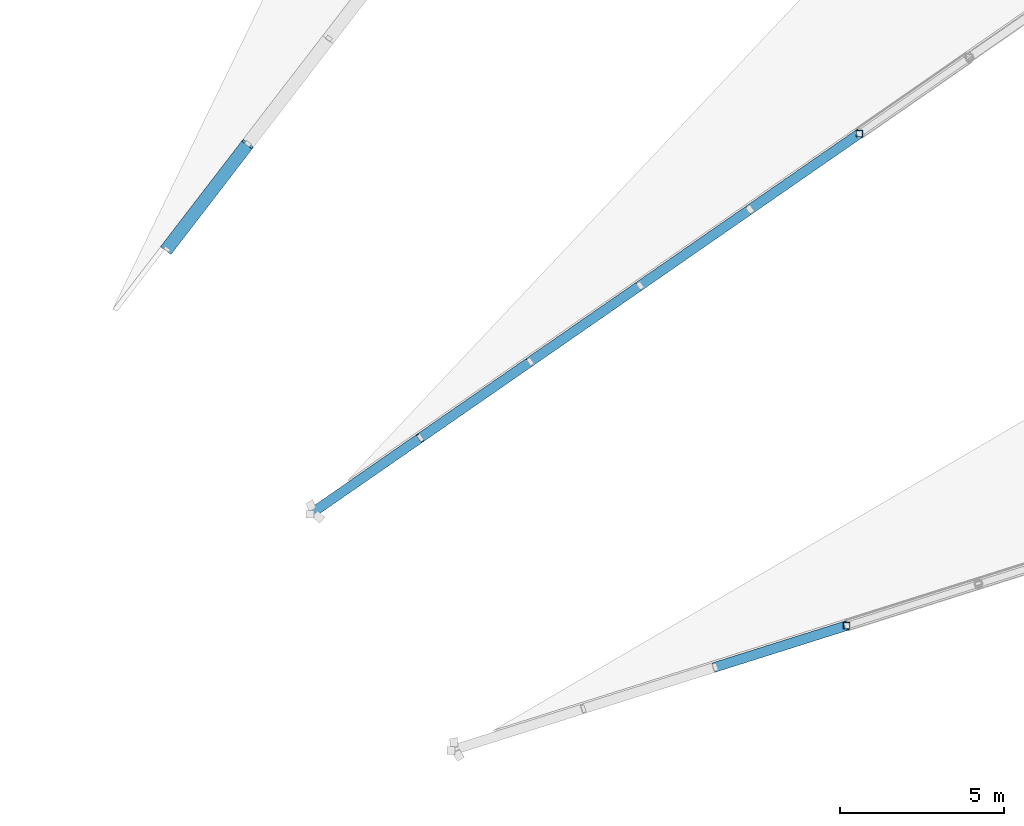
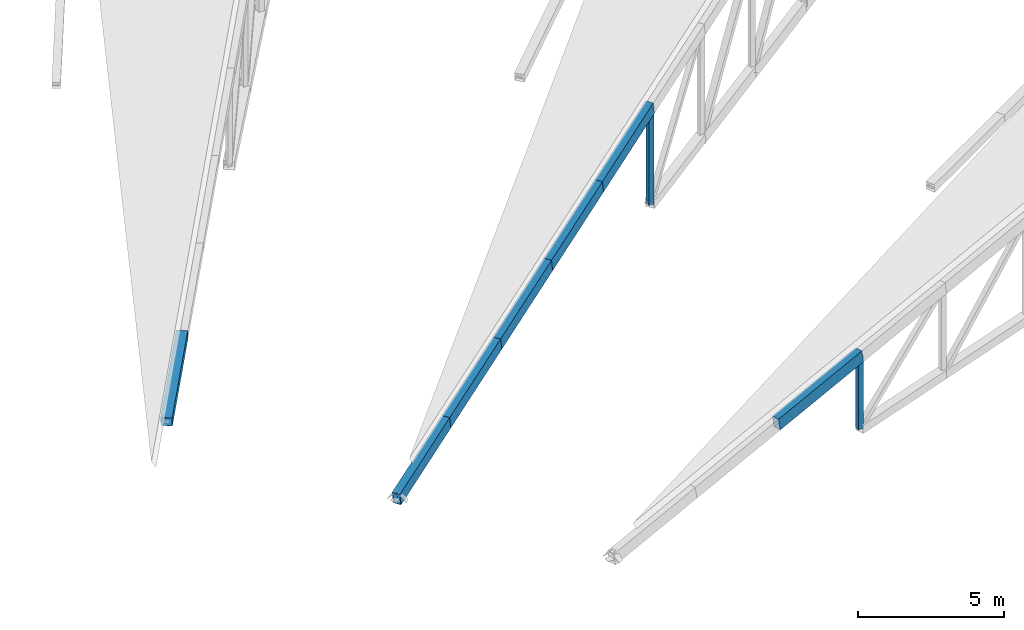
# One storey, part 95 of 188: 9 members.
"""IFC4 building model written with IfcOpenShell, lengths in metres."""

from ifc_helpers import new_model, si_unit, direction, frame, origin, origin_2d, place, context, subcontext, project, spatial, hollow_rectangle, extrude, material, material_profile, profile_set, type_object, element, save


model = new_model("IFC4")

# Units and contexts
model_context = context("Model", 3, precision=1e-05, world=origin(), true_north=direction((0.0, 1.0)))
body_context = subcontext(model_context, "Body", "Model", "MODEL_VIEW")
ifc_project = project(units=[si_unit("LENGTHUNIT", "METRE"), si_unit("AREAUNIT", "SQUARE_METRE"), si_unit("VOLUMEUNIT", "CUBIC_METRE"), si_unit("PLANEANGLEUNIT", "RADIAN"), si_unit("MASSUNIT", "GRAM", prefix="KILO")], contexts=[model_context])

# Site, building, storey
site_placement = place(None, origin())
site = spatial("IfcSite", under=ifc_project, at=site_placement, CompositionType="ELEMENT")
building_placement = place(site_placement, origin())
building = spatial("IfcBuilding", under=site, at=building_placement, Name="Meseta Stadium", CompositionType="ELEMENT")
storey_placement = place(building_placement, frame((0.0, 0.0, 30.0)))
storey = spatial("IfcBuildingStorey", under=building, at=storey_placement, Name="ROOF", CompositionType="ELEMENT", Elevation=30.0)

# Members
ifc_material_1 = material(Name="Steel S355", Category="steel")
ifc_material_profile_1 = material_profile(ifc_material_1, hollow_rectangle(XDim=0.300048828125, YDim=0.5, WallThickness=0.01611328125, at=origin_2d()), Name="RHS 500x300x16")
ifc_profile_set_1 = profile_set([ifc_material_profile_1], Name="Steel S355")
member_type_1 = type_object("IfcMemberType", Name="RHS 500x300x16 top chord", PredefinedType="CHORD", material=ifc_profile_set_1)
member_1_placement = place(storey_placement, frame((53.93603515625, 54.2919921875, 3.035400390625), z_axis=(0.941786500228, 0.297367188569, 0.156878753024), x_axis=(-0.301095390886, 0.953594025562, 0.0)))
element("IfcMember", 1, at=member_1_placement, inside=storey, type_object=member_type_1, Name="ROOF TRUSS RT-10 top chord", PredefinedType="CHORD", context=body_context, shape_type="SweptSolid", body=[
    extrude(hollow_rectangle(XDim=0.300048828125, YDim=0.5, WallThickness=0.01611328125, at=origin_2d()), origin(), (0.0, 0.0, 1.0), 4.27490234375),
])
member_2_placement = place(storey_placement, frame((41.66064453125, 59.019775390625, 1.30615234375), z_axis=(0.809986888888, 0.561313061777, 0.169849599668), x_axis=(-0.56958919492, 0.821929528019, 0.0)))
element("IfcMember", 2, at=member_2_placement, inside=storey, type_object=member_type_1, Name="ROOF TRUSS RT-12 top chord", PredefinedType="CHORD", context=body_context, shape_type="SweptSolid", body=[
    extrude(hollow_rectangle(XDim=0.300048828125, YDim=0.5, WallThickness=0.01611328125, at=origin_2d()), origin(), (0.0, 0.0, 1.0), 4.0419921875),
])
member_3_placement = place(storey_placement, frame((44.9345703125, 61.28857421875, 1.99267578125), z_axis=(0.809979219228, 0.561321551621, 0.169858117574), x_axis=(-0.569598658516, 0.821922969759, 0.0)))
element("IfcMember", 3, at=member_3_placement, inside=storey, type_object=member_type_1, Name="ROOF TRUSS RT-12 top chord", PredefinedType="CHORD", context=body_context, shape_type="SweptSolid", body=[
    extrude(hollow_rectangle(XDim=0.300048828125, YDim=0.5, WallThickness=0.01611328125, at=origin_2d()), origin(), (0.0, 0.0, 1.0), 4.142333984375),
])
member_4_placement = place(storey_placement, frame((48.289794921875, 63.61376953125, 2.6962890625), z_axis=(0.809985745458, 0.561307979479, 0.169871846777), x_axis=(-0.569586254046, 0.821931566009, 0.0)))
element("IfcMember", 4, at=member_4_placement, inside=storey, type_object=member_type_1, Name="ROOF TRUSS RT-12 top chord", PredefinedType="CHORD", context=body_context, shape_type="SweptSolid", body=[
    extrude(hollow_rectangle(XDim=0.300048828125, YDim=0.5, WallThickness=0.01611328125, at=origin_2d()), origin(), (0.0, 0.0, 1.0), 4.14208984375),
])
member_5_placement = place(storey_placement, frame((51.644775390625, 65.938720703125, 3.39990234375), z_axis=(0.810006015641, 0.561281182198, 0.169863736963), x_axis=(-0.569558253619, 0.821950969179, 0.0)))
element("IfcMember", 5, at=member_5_placement, inside=storey, type_object=member_type_1, Name="ROOF TRUSS RT-12 top chord", PredefinedType="CHORD", context=body_context, shape_type="SweptSolid", body=[
    extrude(hollow_rectangle(XDim=0.300048828125, YDim=0.5, WallThickness=0.01611328125, at=origin_2d()), origin(), (0.0, 0.0, 1.0), 4.142333984375),
])
member_6_placement = place(storey_placement, frame((55.0, 68.263671875, 4.103515625), z_axis=(0.809958947157, 0.561348349055, 0.169866226583), x_axis=(-0.569626659021, 0.821903564497, 0.0)))
element("IfcMember", 6, at=member_6_placement, inside=storey, type_object=member_type_1, Name="ROOF TRUSS RT-12 top chord", PredefinedType="CHORD", context=body_context, shape_type="SweptSolid", body=[
    extrude(hollow_rectangle(XDim=0.300048828125, YDim=0.5, WallThickness=0.01611328125, at=origin_2d()), origin(), (0.0, 0.0, 1.0), 4.14208984375),
])
ifc_material_2 = material(Name="Steel S355", Category="steel")
ifc_material_profile_2 = material_profile(ifc_material_2, hollow_rectangle(XDim=0.199951171875, YDim=0.199951171875, WallThickness=0.008056640625, at=origin_2d()), Name="SHS 200x200x8")
ifc_profile_set_2 = profile_set([ifc_material_profile_2], Name="Steel S355")
member_type_2 = type_object("IfcMemberType", Name="SHS 200x200x8 post", PredefinedType="POST", material=ifc_profile_set_2)
member_7_placement = place(storey_placement, frame((57.962158203125, 55.563232421875, 0.66162109375), z_axis=(0.0, 0.0, 1.0), x_axis=(1.0, 0.0, 0.0)))
element("IfcMember", 7, at=member_7_placement, inside=storey, type_object=member_type_2, Name="ROOF TRUSS RT-10 post", PredefinedType="POST", context=body_context, shape_type="SweptSolid", body=[
    extrude(hollow_rectangle(XDim=0.199951171875, YDim=0.199951171875, WallThickness=0.008056640625, at=origin_2d()), origin(), (0.0, 0.0, 1.0), 3.04443359375),
])
member_8_placement = place(storey_placement, frame((58.35498046875, 70.5888671875, 0.783447265625), z_axis=(0.0, 0.0, 1.0), x_axis=(1.0, 0.0, 0.0)))
element("IfcMember", 8, at=member_8_placement, inside=storey, type_object=member_type_2, Name="ROOF TRUSS RT-12 post", PredefinedType="POST", context=body_context, shape_type="SweptSolid", body=[
    extrude(hollow_rectangle(XDim=0.199951171875, YDim=0.199951171875, WallThickness=0.008056640625, at=origin_2d()), origin(), (0.0, 0.0, 1.0), 4.023681640625),
])
ifc_material_3 = material(Name="Steel S355", Category="steel")
ifc_material_profile_3 = material_profile(ifc_material_3, hollow_rectangle(XDim=0.39990234375, YDim=0.39990234375, WallThickness=0.010009765625, at=origin_2d()), Name="SHS 400x400x10")
ifc_profile_set_3 = profile_set([ifc_material_profile_3], Name="Steel S355")
member_type_3 = type_object("IfcMemberType", Name="SHS 400x400x10 top chord", PredefinedType="CHORD", material=ifc_profile_set_3)
member_9_placement = place(storey_placement, frame((37.197509765625, 67.04638671875, 1.214599609375), z_axis=(0.597020682494, 0.776456667852, 0.201696176518), x_axis=(-0.792749139849, 0.609548030321, 0.0)))
element("IfcMember", 9, at=member_9_placement, inside=storey, type_object=member_type_3, Name="ROOF TRUSS RT-14 top chord", PredefinedType="CHORD", context=body_context, shape_type="SweptSolid", body=[
    extrude(hollow_rectangle(XDim=0.39990234375, YDim=0.39990234375, WallThickness=0.010009765625, at=origin_2d()), origin(), (0.0, 0.0, 1.0), 4.145751953125),
])

save(model, "model.ifc")
